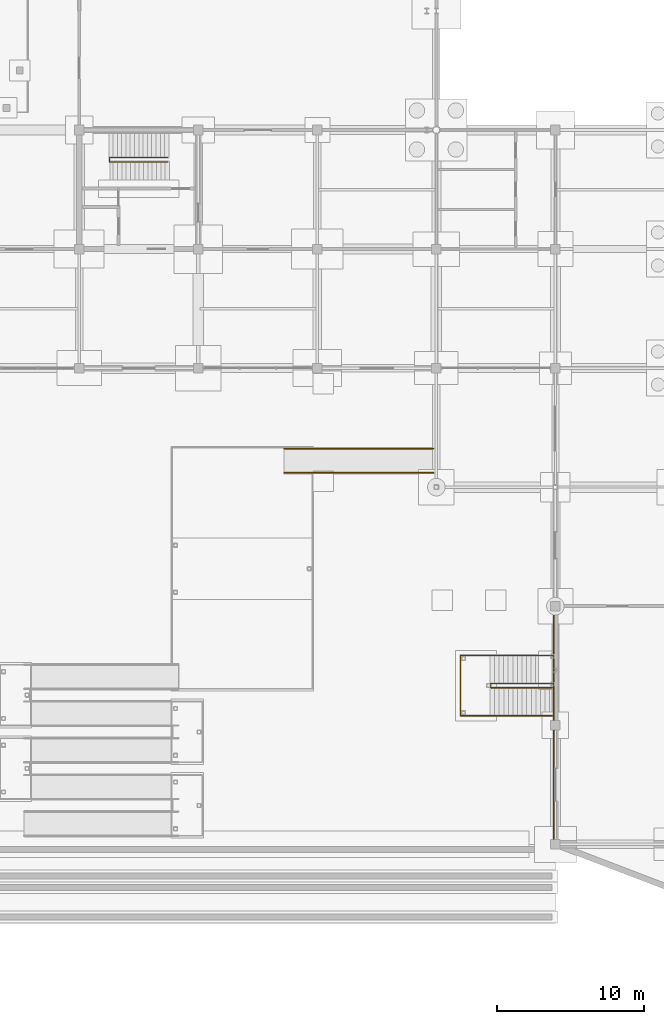
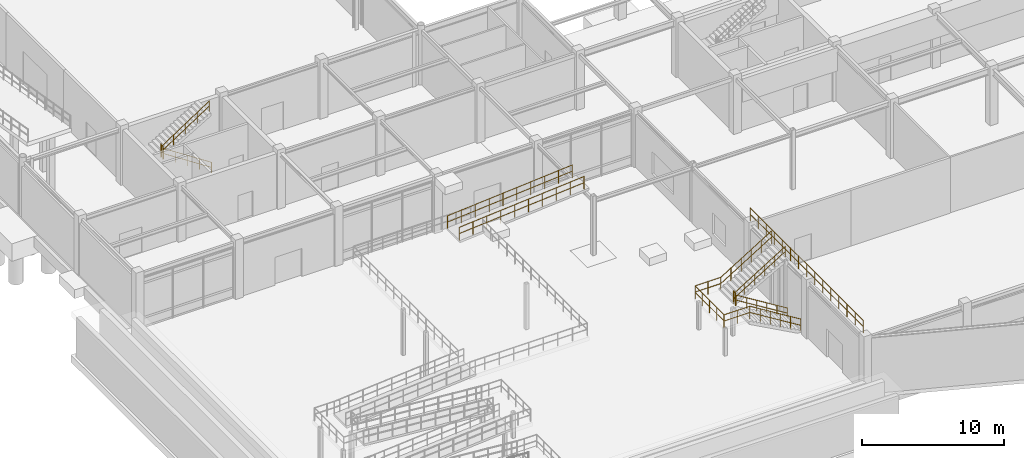
# One storey, part 59 of 67: 12 railings.
"""IFC4 building model written with IfcOpenShell, lengths in metres."""

from ifc_helpers import new_model, si_unit, direction, frame, origin, origin_2d, place, context, subcontext, project, spatial, circle, extrude, material, type_object, element, save


model = new_model("IFC4")

# Units and contexts
model_context = context("Model", 3, precision=1e-05, world=origin(), true_north=direction((0.0, 1.0)))
body_context = subcontext(model_context, "Body", "Model", "MODEL_VIEW")
ifc_project = project(units=[si_unit("LENGTHUNIT", "METRE"), si_unit("AREAUNIT", "SQUARE_METRE"), si_unit("VOLUMEUNIT", "CUBIC_METRE"), si_unit("PLANEANGLEUNIT", "RADIAN"), si_unit("MASSUNIT", "GRAM", prefix="KILO")], contexts=[model_context])

# Site, building, storey
site_placement = place(None, origin())
site = spatial("IfcSite", under=ifc_project, at=site_placement, CompositionType="ELEMENT")
building_placement = place(site_placement, origin())
building = spatial("IfcBuilding", under=site, at=building_placement, Name="Vaudrelin Polytechnic", CompositionType="ELEMENT")
storey_placement = place(building_placement, frame((0.0, 0.0, -5.10009765625)))
storey = spatial("IfcBuildingStorey", under=building, at=storey_placement, Name="B1", CompositionType="ELEMENT", Elevation=-5.10009765625)

# Railings
ifc_material_1 = material(Name="Stainless steel AISI 316L", Category="steel")
railing_type_1 = type_object("IfcRailingType", Name="ENV-GR-TER", PredefinedType="GUARDRAIL", material=ifc_material_1)
railing_1_placement = place(storey_placement, frame((40.3798828125, 0.1201171875, 5.10009765625)))
element("IfcRailing", 1, at=railing_1_placement, inside=storey, type_object=railing_type_1, Name="Terrace guardrail GRD-FC-E", PredefinedType="GUARDRAIL", context=body_context, shape_type="SweptSolid", body=[
    extrude(circle(Radius=0.02392578125, at=origin_2d()), frame((0.0, 0.023193359375, 1.09619140625), z_axis=(0.0, 1.0, 0.0), x_axis=(-1.0, 0.0, 0.0)), (0.0, 0.0, 1.0), 15.8837890625),
    extrude(circle(Radius=0.02392578125, at=origin_2d()), frame((0.0, 0.023193359375, 0.56005859375), z_axis=(0.0, 1.0, 0.0), x_axis=(-1.0, 0.0, 0.0)), (0.0, 0.0, 1.0), 15.8837890625),
    extrude(circle(Radius=0.02099609375, at=origin_2d()), origin(), (0.0, 0.0, 1.0), 1.1201171875),
    extrude(circle(Radius=0.02099609375, at=origin_2d()), frame((0.0, 1.137939453125, 0.0)), (0.0, 0.0, 1.0), 1.1201171875),
    extrude(circle(Radius=0.02099609375, at=origin_2d()), frame((0.0, 2.275634765625, 0.0)), (0.0, 0.0, 1.0), 1.1201171875),
    extrude(circle(Radius=0.02099609375, at=origin_2d()), frame((0.0, 3.41357421875, 0.0)), (0.0, 0.0, 1.0), 1.1201171875),
    extrude(circle(Radius=0.02099609375, at=origin_2d()), frame((0.0, 4.551513671875, 0.0)), (0.0, 0.0, 1.0), 1.1201171875),
    extrude(circle(Radius=0.02099609375, at=origin_2d()), frame((0.0, 5.689208984375, 0.0)), (0.0, 0.0, 1.0), 1.1201171875),
    extrude(circle(Radius=0.02099609375, at=origin_2d()), frame((0.0, 6.8271484375, 0.0)), (0.0, 0.0, 1.0), 1.1201171875),
    extrude(circle(Radius=0.02099609375, at=origin_2d()), frame((0.0, 7.96484375, 0.0)), (0.0, 0.0, 1.0), 1.1201171875),
    extrude(circle(Radius=0.02099609375, at=origin_2d()), frame((0.0, 9.102783203125, 0.0)), (0.0, 0.0, 1.0), 1.1201171875),
    extrude(circle(Radius=0.02099609375, at=origin_2d()), frame((0.0, 10.24072265625, 0.0)), (0.0, 0.0, 1.0), 1.1201171875),
    extrude(circle(Radius=0.02099609375, at=origin_2d()), frame((0.0, 11.37841796875, 0.0)), (0.0, 0.0, 1.0), 1.1201171875),
    extrude(circle(Radius=0.02099609375, at=origin_2d()), frame((0.0, 12.516357421875, 0.0)), (0.0, 0.0, 1.0), 1.1201171875),
    extrude(circle(Radius=0.02099609375, at=origin_2d()), frame((0.0, 13.654296875, 0.0)), (0.0, 0.0, 1.0), 1.1201171875),
    extrude(circle(Radius=0.02099609375, at=origin_2d()), frame((0.0, 14.7919921875, 0.0)), (0.0, 0.0, 1.0), 1.1201171875),
    extrude(circle(Radius=0.02099609375, at=origin_2d()), frame((0.0, 15.929931640625, 0.0)), (0.0, 0.0, 1.0), 1.1201171875),
])
for number, where, name in (
    (2, (22.0400390625, 25.280029296875, 4.25), "Forecourt ramp flight 6 south guardrail"),
    (3, (22.0400390625, 26.919921875, 4.25), "Forecourt ramp flight 6 north guardrail"),
):
    element("IfcRailing", number, at=place(storey_placement, frame(where)), inside=storey, type_object=railing_type_1, Name=name, PredefinedType="GUARDRAIL", context=body_context, shape_type="SweptSolid", body=[
        extrude(circle(Radius=0.02392578125, at=origin_2d()), frame((0.02294921875, 0.0, 1.097900390625), z_axis=(0.996750600384, 0.0, 0.080549615982), x_axis=(0.0, 1.0, 0.0)), (0.0, 0.0, 1.0), 10.146728515625),
        extrude(circle(Radius=0.02392578125, at=origin_2d()), frame((0.02294921875, 0.0, 0.56201171875), z_axis=(0.996750600384, 0.0, 0.080549615982), x_axis=(0.0, 1.0, 0.0)), (0.0, 0.0, 1.0), 10.146728515625),
        extrude(circle(Radius=0.02099609375, at=origin_2d()), origin(), (0.0, 0.0, 1.0), 1.1201171875),
        extrude(circle(Radius=0.02099609375, at=origin_2d()), frame((1.12890625, 0.0, 0.09130859375)), (0.0, 0.0, 1.0), 1.1201171875),
        extrude(circle(Radius=0.02099609375, at=origin_2d()), frame((2.2578125, 0.0, 0.182373046875)), (0.0, 0.0, 1.0), 1.1201171875),
        extrude(circle(Radius=0.02099609375, at=origin_2d()), frame((3.38671875, 0.0, 0.273681640625)), (0.0, 0.0, 1.0), 1.1201171875),
        extrude(circle(Radius=0.02099609375, at=origin_2d()), frame((4.515625, 0.0, 0.364990234375)), (0.0, 0.0, 1.0), 1.1201171875),
        extrude(circle(Radius=0.02099609375, at=origin_2d()), frame((5.644287109375, 0.0, 0.4560546875)), (0.0, 0.0, 1.0), 1.1201171875),
        extrude(circle(Radius=0.02099609375, at=origin_2d()), frame((6.773193359375, 0.0, 0.54736328125)), (0.0, 0.0, 1.0), 1.1201171875),
        extrude(circle(Radius=0.02099609375, at=origin_2d()), frame((7.902099609375, 0.0, 0.638671875)), (0.0, 0.0, 1.0), 1.1201171875),
        extrude(circle(Radius=0.02099609375, at=origin_2d()), frame((9.031005859375, 0.0, 0.729736328125)), (0.0, 0.0, 1.0), 1.1201171875),
        extrude(circle(Radius=0.02099609375, at=origin_2d()), frame((10.159912109375, 0.0, 0.821044921875)), (0.0, 0.0, 1.0), 1.1201171875),
    ])
ifc_material_2 = material(Name="Brushed stainless steel AISI 304", Category="steel")
railing_type_2 = type_object("IfcRailingType", Name="RAL-GR-INT", PredefinedType="GUARDRAIL", material=ifc_material_2)
for number, where, name in (
    (4, (10.14990234375, 46.43994140625, 2.550048828125), "ST-03-B1 landing well guardrail"),
    (5, (36.090087890625, 10.659912109375, 2.550048828125), "ST-FC1 landing well guardrail"),
):
    element("IfcRailing", number, at=place(storey_placement, frame(where)), inside=storey, type_object=railing_type_2, Name=name, PredefinedType="GUARDRAIL", context=body_context, shape_type="SweptSolid", body=[
        extrude(circle(Radius=0.02392578125, at=origin_2d()), frame((0.0, 0.023193359375, 1.09619140625), z_axis=(0.0, 1.0, 0.0), x_axis=(-1.0, 0.0, 0.0)), (0.0, 0.0, 1.0), 0.23388671875),
        extrude(circle(Radius=0.02392578125, at=origin_2d()), frame((0.0, 0.023193359375, 0.56005859375), z_axis=(0.0, 1.0, 0.0), x_axis=(-1.0, 0.0, 0.0)), (0.0, 0.0, 1.0), 0.23388671875),
        extrude(circle(Radius=0.02099609375, at=origin_2d()), origin(), (0.0, 0.0, 1.0), 1.1201171875),
        extrude(circle(Radius=0.02099609375, at=origin_2d()), frame((0.0, 0.280029296875, 0.0)), (0.0, 0.0, 1.0), 1.1201171875),
    ])
railing_2_placement = place(storey_placement, frame((40.280029296875, 8.75, 0.0)))
element("IfcRailing", 6, at=railing_2_placement, inside=storey, type_object=railing_type_2, Name="ST-FC1 outer south guardrail", PredefinedType="GUARDRAIL", context=body_context, shape_type="SweptSolid", body=[
    extrude(circle(Radius=0.02392578125, at=origin_2d()), frame((-0.01953125, 0.0, 1.108154296875), z_axis=(-0.850881983549, 0.0, 0.525356878771), x_axis=(0.0, -1.0, 0.0)), (0.0, 0.0, 1.0), 4.807861328125),
    extrude(circle(Radius=0.02392578125, at=origin_2d()), frame((-0.01953125, 0.0, 0.572265625), z_axis=(-0.850881983549, 0.0, 0.525356878771), x_axis=(0.0, -1.0, 0.0)), (0.0, 0.0, 1.0), 4.807861328125),
    extrude(circle(Radius=0.02392578125, at=origin_2d()), frame((-4.1533203125, 0.0, 3.64599609375), z_axis=(-1.0, 0.0, 0.0), x_axis=(0.0, -1.0, 0.0)), (0.0, 0.0, 1.0), 2.043701171875),
    extrude(circle(Radius=0.02392578125, at=origin_2d()), frame((-4.1533203125, 0.0, 3.110107421875), z_axis=(-1.0, 0.0, 0.0), x_axis=(0.0, -1.0, 0.0)), (0.0, 0.0, 1.0), 2.043701171875),
    extrude(circle(Radius=0.02099609375, at=origin_2d()), origin(), (0.0, 0.0, 1.0), 1.1201171875),
    extrude(circle(Radius=0.02099609375, at=origin_2d()), frame((-0.825927734375, 0.0, 0.510009765625)), (0.0, 0.0, 1.0), 1.1201171875),
    extrude(circle(Radius=0.02099609375, at=origin_2d()), frame((-1.652099609375, 0.0, 1.02001953125)), (0.0, 0.0, 1.0), 1.1201171875),
    extrude(circle(Radius=0.02099609375, at=origin_2d()), frame((-2.47802734375, 0.0, 1.530029296875)), (0.0, 0.0, 1.0), 1.1201171875),
    extrude(circle(Radius=0.02099609375, at=origin_2d()), frame((-3.30419921875, 0.0, 2.0400390625)), (0.0, 0.0, 1.0), 1.1201171875),
    extrude(circle(Radius=0.02099609375, at=origin_2d()), frame((-4.130126953125, 0.0, 2.550048828125)), (0.0, 0.0, 1.0), 1.1201171875),
    extrude(circle(Radius=0.02099609375, at=origin_2d()), frame((-5.175048828125, 0.0, 2.550048828125)), (0.0, 0.0, 1.0), 1.1201171875),
    extrude(circle(Radius=0.02099609375, at=origin_2d()), frame((-6.219970703125, 0.0, 2.550048828125)), (0.0, 0.0, 1.0), 1.1201171875),
])
railing_3_placement = place(storey_placement, frame((34.06005859375, 12.85009765625, 2.550048828125)))
element("IfcRailing", 7, at=railing_3_placement, inside=storey, type_object=railing_type_2, Name="ST-FC1 outer north guardrail", PredefinedType="GUARDRAIL", context=body_context, shape_type="SweptSolid", body=[
    extrude(circle(Radius=0.02392578125, at=origin_2d()), frame((0.023193359375, 0.0, 1.09619140625), z_axis=(1.0, 0.0, 0.0), x_axis=(0.0, 1.0, 0.0)), (0.0, 0.0, 1.0), 2.043701171875),
    extrude(circle(Radius=0.02392578125, at=origin_2d()), frame((0.023193359375, 0.0, 0.56005859375), z_axis=(1.0, 0.0, 0.0), x_axis=(0.0, 1.0, 0.0)), (0.0, 0.0, 1.0), 2.043701171875),
    extrude(circle(Radius=0.02392578125, at=origin_2d()), frame((2.109375, 0.0, 1.108154296875), z_axis=(0.850881983549, 0.0, 0.525356878771), x_axis=(0.0, 1.0, 0.0)), (0.0, 0.0, 1.0), 4.807861328125),
    extrude(circle(Radius=0.02392578125, at=origin_2d()), frame((2.109375, 0.0, 0.572265625), z_axis=(0.850881983549, 0.0, 0.525356878771), x_axis=(0.0, 1.0, 0.0)), (0.0, 0.0, 1.0), 4.807861328125),
    extrude(circle(Radius=0.02099609375, at=origin_2d()), origin(), (0.0, 0.0, 1.0), 1.1201171875),
    extrude(circle(Radius=0.02099609375, at=origin_2d()), frame((1.044921875, 0.0, 0.0)), (0.0, 0.0, 1.0), 1.1201171875),
    extrude(circle(Radius=0.02099609375, at=origin_2d()), frame((2.08984375, 0.0, 0.0)), (0.0, 0.0, 1.0), 1.1201171875),
    extrude(circle(Radius=0.02099609375, at=origin_2d()), frame((2.915771484375, 0.0, 0.510009765625)), (0.0, 0.0, 1.0), 1.1201171875),
    extrude(circle(Radius=0.02099609375, at=origin_2d()), frame((3.741943359375, 0.0, 1.02001953125)), (0.0, 0.0, 1.0), 1.1201171875),
    extrude(circle(Radius=0.02099609375, at=origin_2d()), frame((4.56787109375, 0.0, 1.530029296875)), (0.0, 0.0, 1.0), 1.1201171875),
    extrude(circle(Radius=0.02099609375, at=origin_2d()), frame((5.39404296875, 0.0, 2.0400390625)), (0.0, 0.0, 1.0), 1.1201171875),
    extrude(circle(Radius=0.02099609375, at=origin_2d()), frame((6.219970703125, 0.0, 2.550048828125)), (0.0, 0.0, 1.0), 1.1201171875),
])
railing_4_placement = place(storey_placement, frame((34.050048828125, 8.800048828125, 2.550048828125)))
element("IfcRailing", 8, at=railing_4_placement, inside=storey, type_object=railing_type_2, Name="ST-FC1 landing west guardrail", PredefinedType="GUARDRAIL", context=body_context, shape_type="SweptSolid", body=[
    extrude(circle(Radius=0.02392578125, at=origin_2d()), frame((0.0, 0.023193359375, 1.09619140625), z_axis=(0.0, 1.0, 0.0), x_axis=(-1.0, 0.0, 0.0)), (0.0, 0.0, 1.0), 3.953857421875),
    extrude(circle(Radius=0.02392578125, at=origin_2d()), frame((0.0, 0.023193359375, 0.56005859375), z_axis=(0.0, 1.0, 0.0), x_axis=(-1.0, 0.0, 0.0)), (0.0, 0.0, 1.0), 3.953857421875),
    extrude(circle(Radius=0.02099609375, at=origin_2d()), origin(), (0.0, 0.0, 1.0), 1.1201171875),
    extrude(circle(Radius=0.02099609375, at=origin_2d()), frame((0.0, 1.0, 0.0)), (0.0, 0.0, 1.0), 1.1201171875),
    extrude(circle(Radius=0.02099609375, at=origin_2d()), frame((0.0, 2.0, 0.0)), (0.0, 0.0, 1.0), 1.1201171875),
    extrude(circle(Radius=0.02099609375, at=origin_2d()), frame((0.0, 3.0, 0.0)), (0.0, 0.0, 1.0), 1.1201171875),
    extrude(circle(Radius=0.02099609375, at=origin_2d()), frame((0.0, 4.0, 0.0)), (0.0, 0.0, 1.0), 1.1201171875),
])
railing_type_3 = type_object("IfcRailingType", Name="RAL-HR-STR", PredefinedType="HANDRAIL", material=ifc_material_2)
railing_5_placement = place(storey_placement, frame((14.10009765625, 46.429931640625, 0.0)))
element("IfcRailing", 9, at=railing_5_placement, inside=storey, type_object=railing_type_3, Name="ST-03-B1 flight 1 handrail", PredefinedType="HANDRAIL", context=body_context, shape_type="SweptSolid", body=[
    extrude(circle(Radius=0.02392578125, at=origin_2d()), frame((-0.019287109375, 0.0, 0.908447265625), z_axis=(-0.836329188974, 0.0, 0.548227587476), x_axis=(0.0, -1.0, 0.0)), (0.0, 0.0, 1.0), 4.605224609375),
    extrude(circle(Radius=0.02392578125, at=origin_2d()), frame((-0.019287109375, 0.0, 0.47265625), z_axis=(-0.836329188974, 0.0, 0.548227587476), x_axis=(0.0, -1.0, 0.0)), (0.0, 0.0, 1.0), 4.605224609375),
    extrude(circle(Radius=0.02099609375, at=origin_2d()), origin(), (0.0, 0.0, 1.0), 0.919921875),
    extrude(circle(Radius=0.02099609375, at=origin_2d()), frame((-0.97265625, 0.0, 0.637451171875)), (0.0, 0.0, 1.0), 0.919921875),
    extrude(circle(Radius=0.02099609375, at=origin_2d()), frame((-1.945068359375, 0.0, 1.27490234375)), (0.0, 0.0, 1.0), 0.919921875),
    extrude(circle(Radius=0.02099609375, at=origin_2d()), frame((-2.91748046875, 0.0, 1.91259765625)), (0.0, 0.0, 1.0), 0.919921875),
    extrude(circle(Radius=0.02099609375, at=origin_2d()), frame((-3.89013671875, 0.0, 2.550048828125)), (0.0, 0.0, 1.0), 0.919921875),
])
railing_6_placement = place(storey_placement, frame((10.2099609375, 46.72998046875, 2.550048828125)))
element("IfcRailing", 10, at=railing_6_placement, inside=storey, type_object=railing_type_3, Name="ST-03-B1 flight 2 handrail", PredefinedType="HANDRAIL", context=body_context, shape_type="SweptSolid", body=[
    extrude(circle(Radius=0.02392578125, at=origin_2d()), frame((0.019287109375, 0.0, 0.908447265625), z_axis=(0.836329188974, 0.0, 0.548227587476), x_axis=(0.0, 1.0, 0.0)), (0.0, 0.0, 1.0), 4.605224609375),
    extrude(circle(Radius=0.02392578125, at=origin_2d()), frame((0.019287109375, 0.0, 0.47265625), z_axis=(0.836329188974, 0.0, 0.548227587476), x_axis=(0.0, 1.0, 0.0)), (0.0, 0.0, 1.0), 4.605224609375),
    extrude(circle(Radius=0.02099609375, at=origin_2d()), origin(), (0.0, 0.0, 1.0), 0.919921875),
    extrude(circle(Radius=0.02099609375, at=origin_2d()), frame((0.97265625, 0.0, 0.637451171875)), (0.0, 0.0, 1.0), 0.919921875),
    extrude(circle(Radius=0.02099609375, at=origin_2d()), frame((1.945068359375, 0.0, 1.27490234375)), (0.0, 0.0, 1.0), 0.919921875),
    extrude(circle(Radius=0.02099609375, at=origin_2d()), frame((2.91748046875, 0.0, 1.91259765625)), (0.0, 0.0, 1.0), 0.919921875),
    extrude(circle(Radius=0.02099609375, at=origin_2d()), frame((3.89013671875, 0.0, 2.550048828125)), (0.0, 0.0, 1.0), 0.919921875),
])
railing_7_placement = place(storey_placement, frame((40.280029296875, 10.64990234375, 0.0)))
element("IfcRailing", 11, at=railing_7_placement, inside=storey, type_object=railing_type_3, Name="ST-FC1 flight 1 handrail", PredefinedType="HANDRAIL", context=body_context, shape_type="SweptSolid", body=[
    extrude(circle(Radius=0.02392578125, at=origin_2d()), frame((-0.01953125, 0.0, 0.907958984375), z_axis=(-0.850881983549, 0.0, 0.525356878771), x_axis=(0.0, -1.0, 0.0)), (0.0, 0.0, 1.0), 4.807861328125),
    extrude(circle(Radius=0.02392578125, at=origin_2d()), frame((-0.01953125, 0.0, 0.47216796875), z_axis=(-0.850881983549, 0.0, 0.525356878771), x_axis=(0.0, -1.0, 0.0)), (0.0, 0.0, 1.0), 4.807861328125),
    extrude(circle(Radius=0.02099609375, at=origin_2d()), origin(), (0.0, 0.0, 1.0), 0.919921875),
    extrude(circle(Radius=0.02099609375, at=origin_2d()), frame((-0.825927734375, 0.0, 0.510009765625)), (0.0, 0.0, 1.0), 0.919921875),
    extrude(circle(Radius=0.02099609375, at=origin_2d()), frame((-1.652099609375, 0.0, 1.02001953125)), (0.0, 0.0, 1.0), 0.919921875),
    extrude(circle(Radius=0.02099609375, at=origin_2d()), frame((-2.47802734375, 0.0, 1.530029296875)), (0.0, 0.0, 1.0), 0.919921875),
    extrude(circle(Radius=0.02099609375, at=origin_2d()), frame((-3.30419921875, 0.0, 2.0400390625)), (0.0, 0.0, 1.0), 0.919921875),
    extrude(circle(Radius=0.02099609375, at=origin_2d()), frame((-4.130126953125, 0.0, 2.550048828125)), (0.0, 0.0, 1.0), 0.919921875),
])
railing_8_placement = place(storey_placement, frame((36.14990234375, 10.949951171875, 2.550048828125)))
element("IfcRailing", 12, at=railing_8_placement, inside=storey, type_object=railing_type_3, Name="ST-FC1 flight 2 handrail", PredefinedType="HANDRAIL", context=body_context, shape_type="SweptSolid", body=[
    extrude(circle(Radius=0.02392578125, at=origin_2d()), frame((0.01953125, 0.0, 0.907958984375), z_axis=(0.850881983549, 0.0, 0.525356878771), x_axis=(0.0, 1.0, 0.0)), (0.0, 0.0, 1.0), 4.807861328125),
    extrude(circle(Radius=0.02392578125, at=origin_2d()), frame((0.01953125, 0.0, 0.47216796875), z_axis=(0.850881983549, 0.0, 0.525356878771), x_axis=(0.0, 1.0, 0.0)), (0.0, 0.0, 1.0), 4.807861328125),
    extrude(circle(Radius=0.02099609375, at=origin_2d()), origin(), (0.0, 0.0, 1.0), 0.919921875),
    extrude(circle(Radius=0.02099609375, at=origin_2d()), frame((0.825927734375, 0.0, 0.510009765625)), (0.0, 0.0, 1.0), 0.919921875),
    extrude(circle(Radius=0.02099609375, at=origin_2d()), frame((1.652099609375, 0.0, 1.02001953125)), (0.0, 0.0, 1.0), 0.919921875),
    extrude(circle(Radius=0.02099609375, at=origin_2d()), frame((2.47802734375, 0.0, 1.530029296875)), (0.0, 0.0, 1.0), 0.919921875),
    extrude(circle(Radius=0.02099609375, at=origin_2d()), frame((3.30419921875, 0.0, 2.0400390625)), (0.0, 0.0, 1.0), 0.919921875),
    extrude(circle(Radius=0.02099609375, at=origin_2d()), frame((4.130126953125, 0.0, 2.550048828125)), (0.0, 0.0, 1.0), 0.919921875),
])

save(model, "model.ifc")
